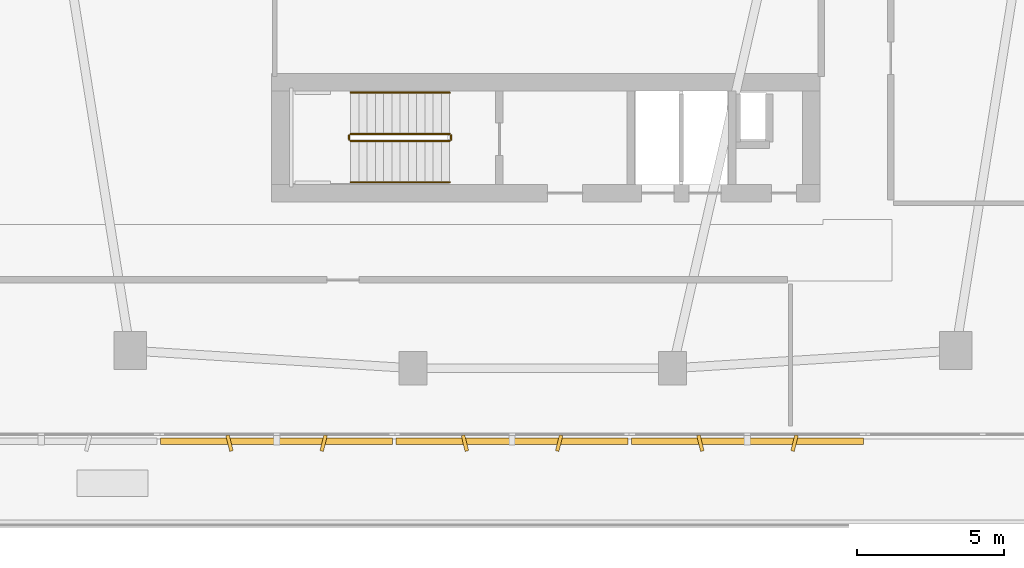
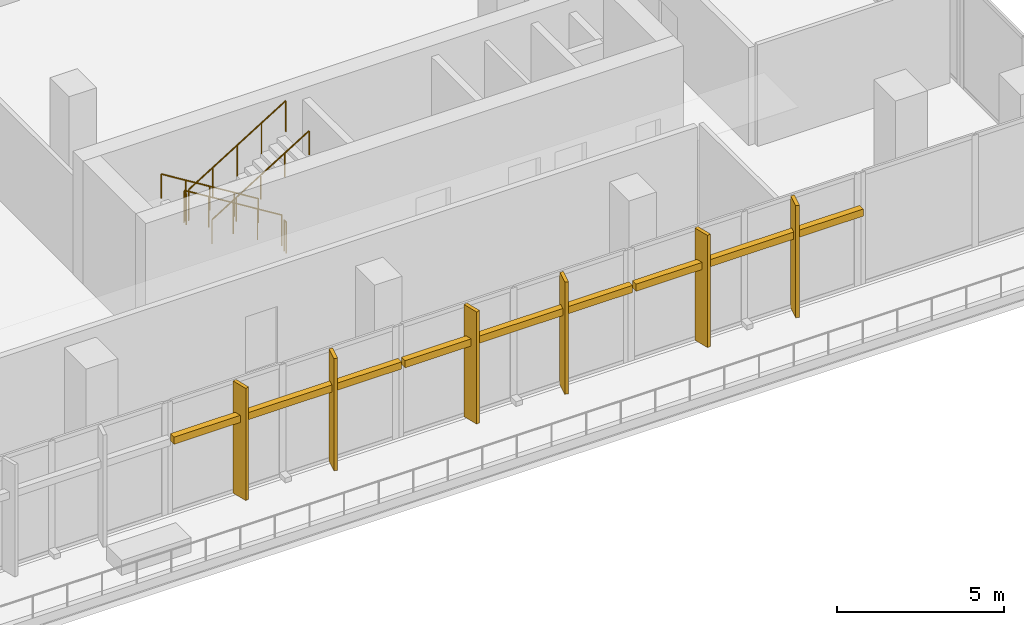
# One storey, part 28 of 31: 9 shading devices, 6 railings.
"""IFC4 building model written with IfcOpenShell, lengths in metres."""

from ifc_helpers import new_model, si_unit, derived_unit, direction, frame, origin, origin_2d, place, context, subcontext, project, spatial, rectangle, circle, extrude, material, type_object, element, save


model = new_model("IFC4")

# Units and contexts
model_context = context("Model", 3, precision=1e-05, world=origin(), true_north=direction((0.0, 1.0)))
body_context = subcontext(model_context, "Body", "Model", "MODEL_VIEW")
ifc_project = project(units=[si_unit("LENGTHUNIT", "METRE"), si_unit("AREAUNIT", "SQUARE_METRE"), si_unit("VOLUMEUNIT", "CUBIC_METRE"), si_unit("PLANEANGLEUNIT", "RADIAN"), si_unit("MASSUNIT", "GRAM", prefix="KILO"), derived_unit("THERMALTRANSMITTANCEUNIT", [(si_unit("POWERUNIT", "WATT"), 1), (si_unit("LENGTHUNIT", "METRE"), -2), (si_unit("THERMODYNAMICTEMPERATUREUNIT", "KELVIN"), -1)])], contexts=[model_context])

# Site, building, storey
site_placement = place(None, origin())
site = spatial("IfcSite", under=ifc_project, at=site_placement, CompositionType="ELEMENT")
building_placement = place(site_placement, origin())
building = spatial("IfcBuilding", under=site, at=building_placement, Name="Kivonza Crest Hotel", CompositionType="ELEMENT")
storey_placement = place(building_placement, frame((0.0, 0.0, 15.0)))
storey = spatial("IfcBuildingStorey", under=building, at=storey_placement, Name="L03", CompositionType="ELEMENT", Elevation=15.0)

# Railings
ifc_material_1 = material(Name="Brushed stainless steel handrail", Category="steel")
railing_type_1 = type_object("IfcRailingType", Name="RL-HAND-900", PredefinedType="HANDRAIL", material=ifc_material_1)
railing_1_placement = place(storey_placement, frame((73.840087890625, 17.75, 0.173095703125)))
element("IfcRailing", 1, at=railing_1_placement, inside=storey, type_object=railing_type_1, Name="L03 ST-T2-S stair handrail 1", PredefinedType="HANDRAIL", context=body_context, shape_type="SweptSolid", body=[
    extrude(circle(Radius=0.02392578125, at=origin_2d()), frame((0.0, 0.0, 0.8759765625), z_axis=(-0.850623216509, 0.0, 0.525775754039), x_axis=(0.0, -1.0, 0.0)), (0.0, 0.0, 1.0), 3.9501953125),
    extrude(circle(Radius=0.02099609375, at=origin_2d()), origin(), (0.0, 0.0, 1.0), 0.851806640625),
    extrude(circle(Radius=0.02099609375, at=origin_2d()), frame((-0.840087890625, 0.0, 0.519287109375)), (0.0, 0.0, 1.0), 0.851806640625),
    extrude(circle(Radius=0.02099609375, at=origin_2d()), frame((-1.68017578125, 0.0, 1.03857421875)), (0.0, 0.0, 1.0), 0.851806640625),
    extrude(circle(Radius=0.02099609375, at=origin_2d()), frame((-2.52001953125, 0.0, 1.5576171875)), (0.0, 0.0, 1.0), 0.851806640625),
    extrude(circle(Radius=0.02099609375, at=origin_2d()), frame((-3.360107421875, 0.0, 2.076904296875)), (0.0, 0.0, 1.0), 0.851806640625),
])
railing_2_placement = place(storey_placement, frame((70.47998046875, 14.7099609375, 2.423095703125)))
element("IfcRailing", 2, at=railing_2_placement, inside=storey, type_object=railing_type_1, Name="L03 ST-T2-S stair handrail 2", PredefinedType="HANDRAIL", context=body_context, shape_type="SweptSolid", body=[
    extrude(circle(Radius=0.02392578125, at=origin_2d()), frame((0.0, 0.0, 0.8759765625), z_axis=(0.850623216509, 0.0, 0.525775754039), x_axis=(0.0, 1.0, 0.0)), (0.0, 0.0, 1.0), 3.9501953125),
    extrude(circle(Radius=0.02099609375, at=origin_2d()), origin(), (0.0, 0.0, 1.0), 0.851806640625),
    extrude(circle(Radius=0.02099609375, at=origin_2d()), frame((0.840087890625, 0.0, 0.519287109375)), (0.0, 0.0, 1.0), 0.851806640625),
    extrude(circle(Radius=0.02099609375, at=origin_2d()), frame((1.68017578125, 0.0, 1.03857421875)), (0.0, 0.0, 1.0), 0.851806640625),
    extrude(circle(Radius=0.02099609375, at=origin_2d()), frame((2.52001953125, 0.0, 1.5576171875)), (0.0, 0.0, 1.0), 0.851806640625),
    extrude(circle(Radius=0.02099609375, at=origin_2d()), frame((3.360107421875, 0.0, 2.076904296875)), (0.0, 0.0, 1.0), 0.851806640625),
])
ifc_material_2 = material(Name="Painted steel balustrade", Category="steel")
railing_type_2 = type_object("IfcRailingType", Name="RL-STAIR-1150", PredefinedType="BALUSTRADE", material=ifc_material_2)
railing_3_placement = place(storey_placement, frame((73.840087890625, 16.35009765625, 0.173095703125)))
element("IfcRailing", 3, at=railing_3_placement, inside=storey, type_object=railing_type_2, Name="L03 ST-T2-S stair guard 1", PredefinedType="BALUSTRADE", context=body_context, shape_type="SweptSolid", body=[
    extrude(circle(Radius=0.02392578125, at=origin_2d()), frame((0.0, 0.0, 1.1259765625), z_axis=(-0.850623216509, 0.0, 0.525775754039), x_axis=(0.0, -1.0, 0.0)), (0.0, 0.0, 1.0), 3.9501953125),
    extrude(circle(Radius=0.02099609375, at=origin_2d()), origin(), (0.0, 0.0, 1.0), 1.101806640625),
    extrude(circle(Radius=0.02099609375, at=origin_2d()), frame((-0.840087890625, 0.0, 0.519287109375)), (0.0, 0.0, 1.0), 1.101806640625),
    extrude(circle(Radius=0.02099609375, at=origin_2d()), frame((-1.68017578125, 0.0, 1.03857421875)), (0.0, 0.0, 1.0), 1.101806640625),
    extrude(circle(Radius=0.02099609375, at=origin_2d()), frame((-2.52001953125, 0.0, 1.5576171875)), (0.0, 0.0, 1.0), 1.101806640625),
    extrude(circle(Radius=0.02099609375, at=origin_2d()), frame((-3.360107421875, 0.0, 2.076904296875)), (0.0, 0.0, 1.0), 1.101806640625),
])
railing_4_placement = place(storey_placement, frame((70.429931640625, 16.300048828125, 2.25)))
element("IfcRailing", 4, at=railing_4_placement, inside=storey, type_object=railing_type_2, Name="L03 ST-T2-S stair guard 2", PredefinedType="BALUSTRADE", context=body_context, shape_type="SweptSolid", body=[
    extrude(circle(Radius=0.02392578125, at=origin_2d()), frame((0.0, 0.0, 1.1259765625), z_axis=(0.0, -1.0, 0.0), x_axis=(1.0, 0.0, 0.0)), (0.0, 0.0, 1.0), 0.14013671875),
    extrude(circle(Radius=0.02099609375, at=origin_2d()), origin(), (0.0, 0.0, 1.0), 1.101806640625),
    extrude(circle(Radius=0.02099609375, at=origin_2d()), frame((0.0, -0.14013671875, 0.0)), (0.0, 0.0, 1.0), 1.101806640625),
])
railing_5_placement = place(storey_placement, frame((70.47998046875, 16.110107421875, 2.423095703125)))
element("IfcRailing", 5, at=railing_5_placement, inside=storey, type_object=railing_type_2, Name="L03 ST-T2-S stair guard 3", PredefinedType="BALUSTRADE", context=body_context, shape_type="SweptSolid", body=[
    extrude(circle(Radius=0.02392578125, at=origin_2d()), frame((0.0, 0.0, 1.1259765625), z_axis=(0.850623216509, 0.0, 0.525775754039), x_axis=(0.0, 1.0, 0.0)), (0.0, 0.0, 1.0), 3.9501953125),
    extrude(circle(Radius=0.02099609375, at=origin_2d()), origin(), (0.0, 0.0, 1.0), 1.101806640625),
    extrude(circle(Radius=0.02099609375, at=origin_2d()), frame((0.840087890625, 0.0, 0.519287109375)), (0.0, 0.0, 1.0), 1.101806640625),
    extrude(circle(Radius=0.02099609375, at=origin_2d()), frame((1.68017578125, 0.0, 1.03857421875)), (0.0, 0.0, 1.0), 1.101806640625),
    extrude(circle(Radius=0.02099609375, at=origin_2d()), frame((2.52001953125, 0.0, 1.5576171875)), (0.0, 0.0, 1.0), 1.101806640625),
    extrude(circle(Radius=0.02099609375, at=origin_2d()), frame((3.360107421875, 0.0, 2.076904296875)), (0.0, 0.0, 1.0), 1.101806640625),
])
railing_6_placement = place(storey_placement, frame((73.889892578125, 16.300048828125, 0.0)))
element("IfcRailing", 6, at=railing_6_placement, inside=storey, type_object=railing_type_2, Name="L03 ST-T2-S stair guard 4", PredefinedType="BALUSTRADE", context=body_context, shape_type="SweptSolid", body=[
    extrude(circle(Radius=0.02392578125, at=origin_2d()), frame((0.0, 0.0, 1.1259765625), z_axis=(0.0, -1.0, 0.0), x_axis=(1.0, 0.0, 0.0)), (0.0, 0.0, 1.0), 0.14013671875),
    extrude(circle(Radius=0.02099609375, at=origin_2d()), origin(), (0.0, 0.0, 1.0), 1.101806640625),
    extrude(circle(Radius=0.02099609375, at=origin_2d()), frame((0.0, -0.14013671875, 0.0)), (0.0, 0.0, 1.0), 1.101806640625),
])

# Shading devices
ifc_material_3 = material(Name="Kiln-fired Nairobi red-ochre terracotta", Category="masonry")
shading_device_type_1 = type_object("IfcShadingDeviceType", Name="SH-BAGUETTE-300", PredefinedType="USERDEFINED", material=ifc_material_3)
for number, where, z_axis, x_axis, name in (
    (7, (67.966064453125, 5.919921875, 2.740234375), (0.0, 0.0, 1.0), (1.0, 0.0, 0.0), "L03 terracotta baguette screen CW-POD-L03-09"),
    (8, (75.952880859375, 5.919921875, 2.740234375), (0.0, 0.0, 1.0), (1.0, 0.0, 0.0), "L03 terracotta baguette screen CW-POD-L03-10"),
):
    element("IfcShadingDevice", number, at=place(storey_placement, frame(where, z_axis=z_axis, x_axis=x_axis)), inside=storey, type_object=shading_device_type_1, Name=name, ObjectType="BAGUETTE", PredefinedType="USERDEFINED", context=body_context, shape_type="SweptSolid", body=[
        extrude(rectangle(XDim=7.866943359375, YDim=0.219970703125, at=origin_2d()), origin(), (0.0, 0.0, 1.0), 0.260009765625),
    ])
shading_device_placement = place(storey_placement, frame((83.93994140625, 5.919921875, 2.740234375), z_axis=(0.0, 0.0, 1.0), x_axis=(1.0, 0.0, 0.0)))
element("IfcShadingDevice", 9, at=shading_device_placement, inside=storey, type_object=shading_device_type_1, Name="L03 terracotta baguette screen CW-POD-L03-11", ObjectType="BAGUETTE", PredefinedType="USERDEFINED", context=body_context, shape_type="SweptSolid", body=[
    extrude(rectangle(XDim=7.865966796875, YDim=0.219970703125, at=origin_2d()), origin(), (0.0, 0.0, 1.0), 0.260009765625),
])
ifc_material_4 = material(Name="Kiln-fired terracotta over extruded aluminium spine", Category="masonry")
shading_device_type_2 = type_object("IfcShadingDeviceType", Name="SH-FIN-550", PredefinedType="USERDEFINED", material=ifc_material_4)
for number, where, z_axis, x_axis, name in (
    (10, (66.368896484375, 5.860107421875, 0.0), (0.0, 0.0, 1.0), (0.970295726276, 0.2419218956, 0.0), "L03 vertical solar shading fin CW-POD-L03-09-1"),
    (11, (69.56396484375, 5.860107421875, 0.0), (0.0, 0.0, 1.0), (0.970295726276, -0.2419218956, 0.0), "L03 vertical solar shading fin CW-POD-L03-09-2"),
    (12, (74.35595703125, 5.860107421875, 0.0), (0.0, 0.0, 1.0), (0.970295726276, 0.2419218956, 0.0), "L03 vertical solar shading fin CW-POD-L03-10-1"),
    (13, (77.551025390625, 5.860107421875, 0.0), (0.0, 0.0, 1.0), (0.970295726276, -0.2419218956, 0.0), "L03 vertical solar shading fin CW-POD-L03-10-2"),
    (14, (82.343017578125, 5.860107421875, 0.0), (0.0, 0.0, 1.0), (0.970295726276, 0.2419218956, 0.0), "L03 vertical solar shading fin CW-POD-L03-11-1"),
    (15, (85.537109375, 5.860107421875, 0.0), (0.0, 0.0, 1.0), (0.970295726276, -0.2419218956, 0.0), "L03 vertical solar shading fin CW-POD-L03-11-2"),
):
    element("IfcShadingDevice", number, at=place(storey_placement, frame(where, z_axis=z_axis, x_axis=x_axis)), inside=storey, type_object=shading_device_type_2, Name=name, ObjectType="FIN", PredefinedType="USERDEFINED", context=body_context, shape_type="SweptSolid", body=[
        extrude(rectangle(XDim=0.1201171875, YDim=0.550048828125, at=origin_2d()), origin(), (0.0, 0.0, 1.0), 4.10009765625),
    ])

save(model, "model.ifc")
